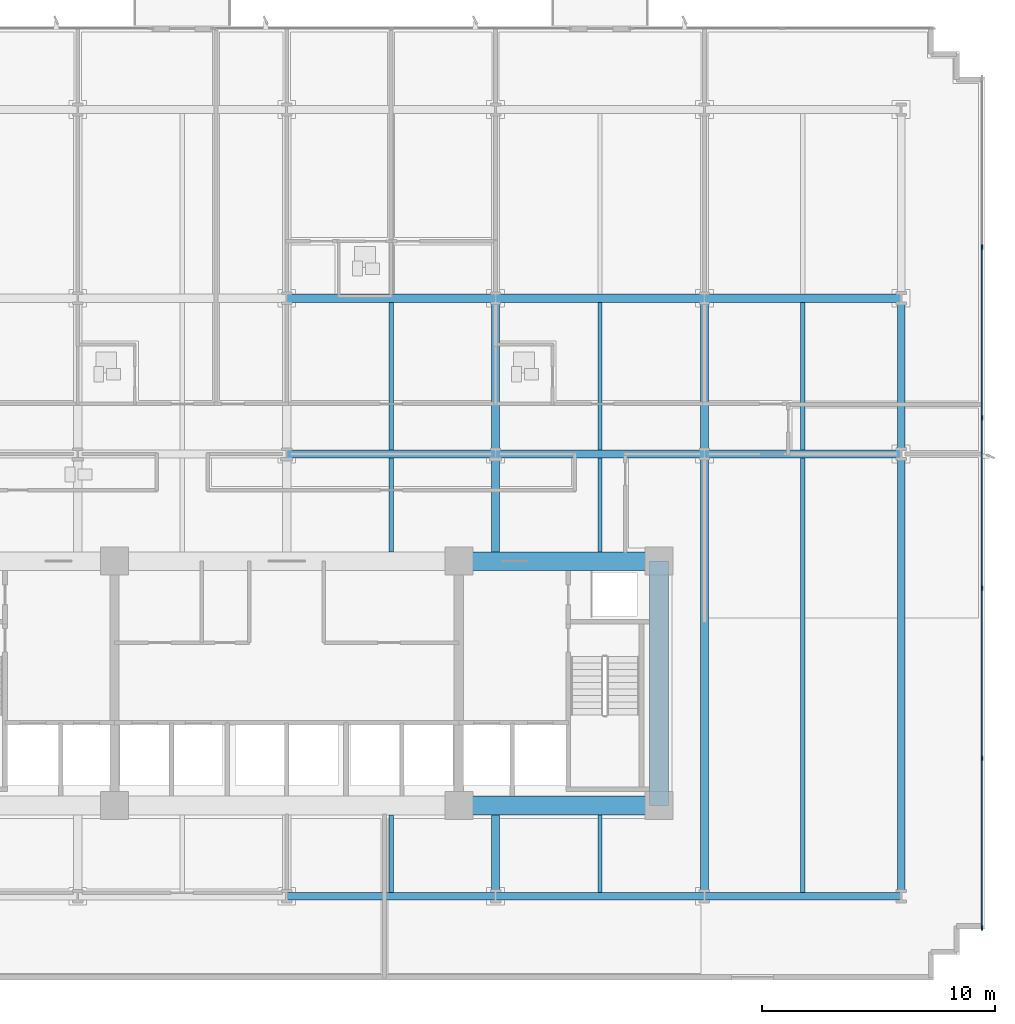
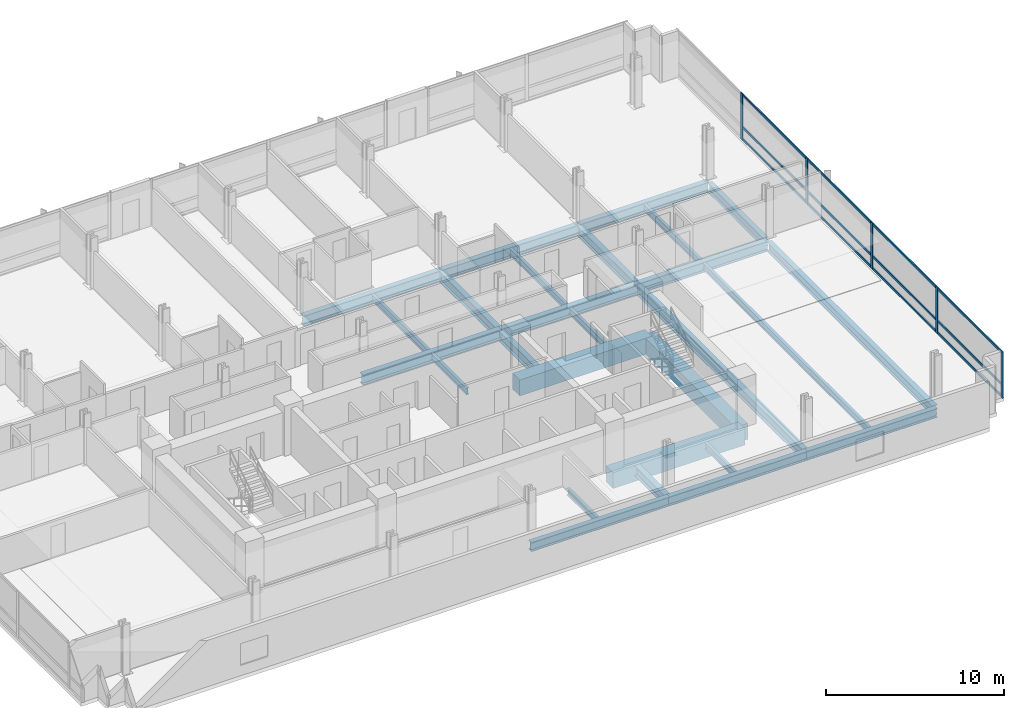
# One storey, part 4 of 16: 27 beams, 17 members, 1 element without a shape of its own.
"""IFC4 building model written with IfcOpenShell, lengths in metres."""

from ifc_helpers import new_model, si_unit, direction, frame, origin, origin_2d, place, context, subcontext, project, spatial, rectangle, i_section, extrude, material, material_profile, profile_set, type_object, element, aggregate, save


model = new_model("IFC4")

# Units and contexts
model_context = context("Model", 3, precision=1e-05, world=origin(), true_north=direction((0.0, 1.0)))
body_context = subcontext(model_context, "Body", "Model", "MODEL_VIEW")
ifc_project = project(units=[si_unit("LENGTHUNIT", "METRE"), si_unit("AREAUNIT", "SQUARE_METRE"), si_unit("VOLUMEUNIT", "CUBIC_METRE"), si_unit("PLANEANGLEUNIT", "RADIAN"), si_unit("MASSUNIT", "GRAM", prefix="KILO")], contexts=[model_context])

# Site, building, storey
site_placement = place(None, origin())
site = spatial("IfcSite", under=ifc_project, at=site_placement, CompositionType="ELEMENT")
building_placement = place(site_placement, origin())
building = spatial("IfcBuilding", under=site, at=building_placement, Name="Solmavex Isthmus Hotel", CompositionType="ELEMENT")
storey_placement = place(building_placement, frame((0.0, 0.0, 29.85009765625)))
storey = spatial("IfcBuildingStorey", under=building, at=storey_placement, Name="L07", CompositionType="ELEMENT", Elevation=29.85009765625)

# Beams
ifc_material_1 = material(Name="Steel ASTM A992 Grade 50", Category="steel")
ifc_material_profile_1 = material_profile(ifc_material_1, i_section(OverallWidth=0.354736328125, OverallDepth=0.695556640625, WebThickness=0.015380859375, FlangeThickness=0.02490234375, FilletRadius=0.017822265625, at=origin_2d()), Name="W27X146")
ifc_profile_set_1 = profile_set([ifc_material_profile_1], Name="Steel ASTM A992 Grade 50")
beam_type_1 = type_object("IfcBeamType", Name="BM-BG-W27X146", PredefinedType="BEAM", material=ifc_profile_set_1)
beam_1_placement = place(storey_placement, frame((0.0, 2.10009765625, -0.60791015625), z_axis=(1.0, 0.0, 0.0), x_axis=(0.0, 1.0, 0.0)))
element("IfcBeam", 1, at=beam_1_placement, inside=storey, type_object=beam_type_1, Name="Floor Girder L07-UG10", PredefinedType="BEAM", context=body_context, shape_type="SweptSolid", body=[
    extrude(i_section(OverallWidth=0.354736328125, OverallDepth=0.695556640625, WebThickness=0.015380859375, FlangeThickness=0.02490234375, FilletRadius=0.017822265625, at=origin_2d()), origin(), (0.0, 0.0, 1.0), 8.97607421875),
])
beam_2_placement = place(storey_placement, frame((8.97607421875, 2.10009765625, -0.60791015625), z_axis=(1.0, 0.0, 0.0), x_axis=(0.0, 1.0, 0.0)))
element("IfcBeam", 2, at=beam_2_placement, inside=storey, type_object=beam_type_1, Name="Floor Girder L07-UG11", PredefinedType="BEAM", context=body_context, shape_type="SweptSolid", body=[
    extrude(i_section(OverallWidth=0.354736328125, OverallDepth=0.695556640625, WebThickness=0.015380859375, FlangeThickness=0.02490234375, FilletRadius=0.017822265625, at=origin_2d()), origin(), (0.0, 0.0, 1.0), 8.975830078125),
])
beam_3_placement = place(storey_placement, frame((17.951904296875, 2.10009765625, -0.60791015625), z_axis=(1.0, 0.0, 0.0), x_axis=(0.0, 1.0, 0.0)))
element("IfcBeam", 3, at=beam_3_placement, inside=storey, type_object=beam_type_1, Name="Floor Girder L07-UG12", PredefinedType="BEAM", context=body_context, shape_type="SweptSolid", body=[
    extrude(i_section(OverallWidth=0.354736328125, OverallDepth=0.695556640625, WebThickness=0.015380859375, FlangeThickness=0.02490234375, FilletRadius=0.017822265625, at=origin_2d()), origin(), (0.0, 0.0, 1.0), 8.447998046875),
])
beam_4_placement = place(storey_placement, frame((0.0, 8.7880859375, -0.60791015625), z_axis=(1.0, 0.0, 0.0), x_axis=(0.0, 1.0, 0.0)))
element("IfcBeam", 4, at=beam_4_placement, inside=storey, type_object=beam_type_1, Name="Floor Girder L07-UG16", PredefinedType="BEAM", context=body_context, shape_type="SweptSolid", body=[
    extrude(i_section(OverallWidth=0.354736328125, OverallDepth=0.695556640625, WebThickness=0.015380859375, FlangeThickness=0.02490234375, FilletRadius=0.017822265625, at=origin_2d()), origin(), (0.0, 0.0, 1.0), 8.97607421875),
])
beam_5_placement = place(storey_placement, frame((8.97607421875, 8.7880859375, -0.60791015625), z_axis=(1.0, 0.0, 0.0), x_axis=(0.0, 1.0, 0.0)))
element("IfcBeam", 5, at=beam_5_placement, inside=storey, type_object=beam_type_1, Name="Floor Girder L07-UG17", PredefinedType="BEAM", context=body_context, shape_type="SweptSolid", body=[
    extrude(i_section(OverallWidth=0.354736328125, OverallDepth=0.695556640625, WebThickness=0.015380859375, FlangeThickness=0.02490234375, FilletRadius=0.017822265625, at=origin_2d()), origin(), (0.0, 0.0, 1.0), 8.975830078125),
])
beam_6_placement = place(storey_placement, frame((17.951904296875, 8.7880859375, -0.60791015625), z_axis=(1.0, 0.0, 0.0), x_axis=(0.0, 1.0, 0.0)))
element("IfcBeam", 6, at=beam_6_placement, inside=storey, type_object=beam_type_1, Name="Floor Girder L07-UG18", PredefinedType="BEAM", context=body_context, shape_type="SweptSolid", body=[
    extrude(i_section(OverallWidth=0.354736328125, OverallDepth=0.695556640625, WebThickness=0.015380859375, FlangeThickness=0.02490234375, FilletRadius=0.017822265625, at=origin_2d()), origin(), (0.0, 0.0, 1.0), 8.447998046875),
])
beam_7_placement = place(storey_placement, frame((8.97607421875, -16.73681640625, -0.60791015625), z_axis=(0.0, 1.0, 0.0), x_axis=(-1.0, 0.0, 0.0)))
element("IfcBeam", 7, at=beam_7_placement, inside=storey, type_object=beam_type_1, Name="Floor Beam L07-VG39", PredefinedType="BEAM", context=body_context, shape_type="SweptSolid", body=[
    extrude(i_section(OverallWidth=0.354736328125, OverallDepth=0.695556640625, WebThickness=0.015380859375, FlangeThickness=0.02490234375, FilletRadius=0.017822265625, at=origin_2d()), origin(), (0.0, 0.0, 1.0), 3.3369140625),
])
beam_8_placement = place(storey_placement, frame((8.97607421875, -2.10009765625, -0.60791015625), z_axis=(0.0, 1.0, 0.0), x_axis=(-1.0, 0.0, 0.0)))
element("IfcBeam", 8, at=beam_8_placement, inside=storey, type_object=beam_type_1, Name="Floor Beam L07-VG40", PredefinedType="BEAM", context=body_context, shape_type="SweptSolid", body=[
    extrude(i_section(OverallWidth=0.354736328125, OverallDepth=0.695556640625, WebThickness=0.015380859375, FlangeThickness=0.02490234375, FilletRadius=0.017822265625, at=origin_2d()), origin(), (0.0, 0.0, 1.0), 4.022705078125),
])
beam_9_placement = place(storey_placement, frame((8.97607421875, 2.27734375, -0.60791015625), z_axis=(0.0, 1.0, 0.0), x_axis=(-1.0, 0.0, 0.0)))
element("IfcBeam", 9, at=beam_9_placement, inside=storey, type_object=beam_type_1, Name="Floor Beam L07-VG41", PredefinedType="BEAM", context=body_context, shape_type="SweptSolid", body=[
    extrude(i_section(OverallWidth=0.354736328125, OverallDepth=0.695556640625, WebThickness=0.015380859375, FlangeThickness=0.02490234375, FilletRadius=0.017822265625, at=origin_2d()), origin(), (0.0, 0.0, 1.0), 6.333251953125),
])
beam_10_placement = place(storey_placement, frame((17.951904296875, -16.73681640625, -0.60791015625), z_axis=(0.0, 1.0, 0.0), x_axis=(-1.0, 0.0, 0.0)))
element("IfcBeam", 10, at=beam_10_placement, inside=storey, type_object=beam_type_1, Name="Floor Beam L07-VG43", PredefinedType="BEAM", context=body_context, shape_type="SweptSolid", body=[
    extrude(i_section(OverallWidth=0.354736328125, OverallDepth=0.695556640625, WebThickness=0.015380859375, FlangeThickness=0.02490234375, FilletRadius=0.017822265625, at=origin_2d()), origin(), (0.0, 0.0, 1.0), 18.659423828125),
])
beam_11_placement = place(storey_placement, frame((17.951904296875, 2.27734375, -0.60791015625), z_axis=(0.0, 1.0, 0.0), x_axis=(-1.0, 0.0, 0.0)))
element("IfcBeam", 11, at=beam_11_placement, inside=storey, type_object=beam_type_1, Name="Floor Beam L07-VG44", PredefinedType="BEAM", context=body_context, shape_type="SweptSolid", body=[
    extrude(i_section(OverallWidth=0.354736328125, OverallDepth=0.695556640625, WebThickness=0.015380859375, FlangeThickness=0.02490234375, FilletRadius=0.017822265625, at=origin_2d()), origin(), (0.0, 0.0, 1.0), 6.333251953125),
])
ifc_material_profile_2 = material_profile(ifc_material_1, i_section(OverallWidth=0.1904296875, OverallDepth=0.456787109375, WebThickness=0.009033203125, FlangeThickness=0.014404296875, FilletRadius=0.0126953125, at=origin_2d()), Name="W18X50")
ifc_profile_set_2 = profile_set([ifc_material_profile_2], Name="Steel ASTM A992 Grade 50")
beam_type_2 = type_object("IfcBeamType", Name="BM-BJ-W18X50", PredefinedType="JOIST", material=ifc_profile_set_2)
beam_12_placement = place(storey_placement, frame((4.488037109375, -16.73681640625, -0.488525390625), z_axis=(0.0, 1.0, 0.0), x_axis=(-1.0, 0.0, 0.0)))
element("IfcBeam", 12, at=beam_12_placement, inside=storey, type_object=beam_type_2, Name="Secondary Floor Joist L07-J12", PredefinedType="JOIST", context=body_context, shape_type="SweptSolid", body=[
    extrude(i_section(OverallWidth=0.1904296875, OverallDepth=0.456787109375, WebThickness=0.009033203125, FlangeThickness=0.014404296875, FilletRadius=0.0126953125, at=origin_2d()), origin(), (0.0, 0.0, 1.0), 3.3369140625),
])
beam_13_placement = place(storey_placement, frame((4.488037109375, -2.10009765625, -0.488525390625), z_axis=(0.0, 1.0, 0.0), x_axis=(-1.0, 0.0, 0.0)))
element("IfcBeam", 13, at=beam_13_placement, inside=storey, type_object=beam_type_2, Name="Secondary Floor Joist L07-J13", PredefinedType="JOIST", context=body_context, shape_type="SweptSolid", body=[
    extrude(i_section(OverallWidth=0.1904296875, OverallDepth=0.456787109375, WebThickness=0.009033203125, FlangeThickness=0.014404296875, FilletRadius=0.0126953125, at=origin_2d()), origin(), (0.0, 0.0, 1.0), 4.022705078125),
])
beam_14_placement = place(storey_placement, frame((4.488037109375, 2.27734375, -0.488525390625), z_axis=(0.0, 1.0, 0.0), x_axis=(-1.0, 0.0, 0.0)))
element("IfcBeam", 14, at=beam_14_placement, inside=storey, type_object=beam_type_2, Name="Secondary Floor Joist L07-J14", PredefinedType="JOIST", context=body_context, shape_type="SweptSolid", body=[
    extrude(i_section(OverallWidth=0.1904296875, OverallDepth=0.456787109375, WebThickness=0.009033203125, FlangeThickness=0.014404296875, FilletRadius=0.0126953125, at=origin_2d()), origin(), (0.0, 0.0, 1.0), 6.333251953125),
])
beam_15_placement = place(storey_placement, frame((13.464111328125, -16.73681640625, -0.488525390625), z_axis=(0.0, 1.0, 0.0), x_axis=(-1.0, 0.0, 0.0)))
element("IfcBeam", 15, at=beam_15_placement, inside=storey, type_object=beam_type_2, Name="Secondary Floor Joist L07-J16", PredefinedType="JOIST", context=body_context, shape_type="SweptSolid", body=[
    extrude(i_section(OverallWidth=0.1904296875, OverallDepth=0.456787109375, WebThickness=0.009033203125, FlangeThickness=0.014404296875, FilletRadius=0.0126953125, at=origin_2d()), origin(), (0.0, 0.0, 1.0), 3.3369140625),
])
beam_16_placement = place(storey_placement, frame((13.464111328125, -2.10009765625, -0.488525390625), z_axis=(0.0, 1.0, 0.0), x_axis=(-1.0, 0.0, 0.0)))
element("IfcBeam", 16, at=beam_16_placement, inside=storey, type_object=beam_type_2, Name="Secondary Floor Joist L07-J17", PredefinedType="JOIST", context=body_context, shape_type="SweptSolid", body=[
    extrude(i_section(OverallWidth=0.1904296875, OverallDepth=0.456787109375, WebThickness=0.009033203125, FlangeThickness=0.014404296875, FilletRadius=0.0126953125, at=origin_2d()), origin(), (0.0, 0.0, 1.0), 4.022705078125),
])
beam_17_placement = place(storey_placement, frame((13.464111328125, 2.27734375, -0.488525390625), z_axis=(0.0, 1.0, 0.0), x_axis=(-1.0, 0.0, 0.0)))
element("IfcBeam", 17, at=beam_17_placement, inside=storey, type_object=beam_type_2, Name="Secondary Floor Joist L07-J18", PredefinedType="JOIST", context=body_context, shape_type="SweptSolid", body=[
    extrude(i_section(OverallWidth=0.1904296875, OverallDepth=0.456787109375, WebThickness=0.009033203125, FlangeThickness=0.014404296875, FilletRadius=0.0126953125, at=origin_2d()), origin(), (0.0, 0.0, 1.0), 6.333251953125),
])
beam_18_placement = place(storey_placement, frame((22.176025390625, -16.73681640625, -0.488525390625), z_axis=(0.0, 1.0, 0.0), x_axis=(-1.0, 0.0, 0.0)))
element("IfcBeam", 18, at=beam_18_placement, inside=storey, type_object=beam_type_2, Name="Secondary Floor Joist L07-J20", PredefinedType="JOIST", context=body_context, shape_type="SweptSolid", body=[
    extrude(i_section(OverallWidth=0.1904296875, OverallDepth=0.456787109375, WebThickness=0.009033203125, FlangeThickness=0.014404296875, FilletRadius=0.0126953125, at=origin_2d()), origin(), (0.0, 0.0, 1.0), 18.659423828125),
])
beam_19_placement = place(storey_placement, frame((22.176025390625, 2.27734375, -0.488525390625), z_axis=(0.0, 1.0, 0.0), x_axis=(-1.0, 0.0, 0.0)))
element("IfcBeam", 19, at=beam_19_placement, inside=storey, type_object=beam_type_2, Name="Secondary Floor Joist L07-J21", PredefinedType="JOIST", context=body_context, shape_type="SweptSolid", body=[
    extrude(i_section(OverallWidth=0.1904296875, OverallDepth=0.456787109375, WebThickness=0.009033203125, FlangeThickness=0.014404296875, FilletRadius=0.0126953125, at=origin_2d()), origin(), (0.0, 0.0, 1.0), 6.333251953125),
])
ifc_material_2 = material(Name="Concrete C70/85", Category="concrete")
ifc_material_profile_3 = material_profile(ifc_material_2, rectangle(XDim=0.800048828125, YDim=1.10009765625, at=origin_2d()), Name="RC800X1100")
ifc_profile_set_3 = profile_set([ifc_material_profile_3], Name="Concrete C70/85")
beam_type_3 = type_object("IfcBeamType", Name="BM-CB-800X1100", PredefinedType="BEAM", material=ifc_profile_set_3)
for number, where, z_axis, x_axis, name in (
    (20, (7.39990234375, -13.0, -0.81005859375), (1.0, 0.0, 0.0), (0.0, 1.0, 0.0), "Core Coupling Beam L07-CB3"),
    (21, (7.39990234375, -2.5, -0.81005859375), (1.0, 0.0, 0.0), (0.0, 1.0, 0.0), "Core Coupling Beam L07-CB6"),
):
    element("IfcBeam", number, at=place(storey_placement, frame(where, z_axis=z_axis, x_axis=x_axis)), inside=storey, type_object=beam_type_3, Name=name, PredefinedType="BEAM", context=body_context, shape_type="SweptSolid", body=[
        extrude(rectangle(XDim=0.800048828125, YDim=1.10009765625, at=origin_2d()), origin(), (0.0, 0.0, 1.0), 8.60009765625),
    ])
beam_20_placement = place(storey_placement, frame((16.0, -13.0, -0.81005859375), z_axis=(0.0, 1.0, 0.0), x_axis=(-1.0, 0.0, 0.0)))
element("IfcBeam", 22, at=beam_20_placement, inside=storey, type_object=beam_type_3, Name="Core Coupling Beam L07-CB8", PredefinedType="BEAM", context=body_context, shape_type="SweptSolid", body=[
    extrude(rectangle(XDim=0.800048828125, YDim=1.10009765625, at=origin_2d()), origin(), (0.0, 0.0, 1.0), 10.5),
])
ifc_material_profile_4 = material_profile(ifc_material_1, i_section(OverallWidth=0.326416015625, OverallDepth=0.621826171875, WebThickness=0.015380859375, FlangeThickness=0.0244140625, FilletRadius=0.01513671875, at=origin_2d()), Name="W24X131")
ifc_profile_set_4 = profile_set([ifc_material_profile_4], Name="Steel ASTM A992 Grade 50")
beam_type_4 = type_object("IfcBeamType", Name="BM-SP-W24X131", PredefinedType="SPANDREL", material=ifc_profile_set_4)
beam_21_placement = place(storey_placement, frame((0.0, -16.89990234375, -0.571044921875), z_axis=(1.0, 0.0, 0.0), x_axis=(0.0, 1.0, 0.0)))
element("IfcBeam", 23, at=beam_21_placement, inside=storey, type_object=beam_type_4, Name="Floor Girder L07-UG04", PredefinedType="SPANDREL", context=body_context, shape_type="SweptSolid", body=[
    extrude(i_section(OverallWidth=0.326416015625, OverallDepth=0.621826171875, WebThickness=0.015380859375, FlangeThickness=0.0244140625, FilletRadius=0.01513671875, at=origin_2d()), origin(), (0.0, 0.0, 1.0), 8.97607421875),
])
beam_22_placement = place(storey_placement, frame((8.97607421875, -16.89990234375, -0.571044921875), z_axis=(1.0, 0.0, 0.0), x_axis=(0.0, 1.0, 0.0)))
element("IfcBeam", 24, at=beam_22_placement, inside=storey, type_object=beam_type_4, Name="Floor Girder L07-UG05", PredefinedType="SPANDREL", context=body_context, shape_type="SweptSolid", body=[
    extrude(i_section(OverallWidth=0.326416015625, OverallDepth=0.621826171875, WebThickness=0.015380859375, FlangeThickness=0.0244140625, FilletRadius=0.01513671875, at=origin_2d()), origin(), (0.0, 0.0, 1.0), 8.975830078125),
])
beam_23_placement = place(storey_placement, frame((17.951904296875, -16.89990234375, -0.571044921875), z_axis=(1.0, 0.0, 0.0), x_axis=(0.0, 1.0, 0.0)))
element("IfcBeam", 25, at=beam_23_placement, inside=storey, type_object=beam_type_4, Name="Floor Girder L07-UG06", PredefinedType="SPANDREL", context=body_context, shape_type="SweptSolid", body=[
    extrude(i_section(OverallWidth=0.326416015625, OverallDepth=0.621826171875, WebThickness=0.015380859375, FlangeThickness=0.0244140625, FilletRadius=0.01513671875, at=origin_2d()), origin(), (0.0, 0.0, 1.0), 8.447998046875),
])
beam_24_placement = place(storey_placement, frame((26.39990234375, -16.73681640625, -0.571044921875), z_axis=(0.0, 1.0, 0.0), x_axis=(-1.0, 0.0, 0.0)))
element("IfcBeam", 26, at=beam_24_placement, inside=storey, type_object=beam_type_4, Name="Floor Beam L07-VG46", PredefinedType="SPANDREL", context=body_context, shape_type="SweptSolid", body=[
    extrude(i_section(OverallWidth=0.326416015625, OverallDepth=0.621826171875, WebThickness=0.015380859375, FlangeThickness=0.0244140625, FilletRadius=0.01513671875, at=origin_2d()), origin(), (0.0, 0.0, 1.0), 18.659423828125),
])
beam_25_placement = place(storey_placement, frame((26.39990234375, 2.27734375, -0.571044921875), z_axis=(0.0, 1.0, 0.0), x_axis=(-1.0, 0.0, 0.0)))
element("IfcBeam", 27, at=beam_25_placement, inside=storey, type_object=beam_type_4, Name="Floor Beam L07-VG47", PredefinedType="SPANDREL", context=body_context, shape_type="SweptSolid", body=[
    extrude(i_section(OverallWidth=0.326416015625, OverallDepth=0.621826171875, WebThickness=0.015380859375, FlangeThickness=0.0244140625, FilletRadius=0.01513671875, at=origin_2d()), origin(), (0.0, 0.0, 1.0), 6.333251953125),
])

# Curtain wall, members
ifc_material_3 = material(Name="Aluminium alloy 6063-T6", Category="aluminium")
curtain_wall_type = type_object("IfcCurtainWallType", Name="CW-SYS-02", PredefinedType="NOTDEFINED", material=ifc_material_3)
curtain_wall_placement = place(storey_placement, origin())
curtain_wall = element("IfcCurtainWall", 28, at=curtain_wall_placement, inside=storey, type_object=curtain_wall_type, Name="Stick Curtain Wall CWL-L07-E1", PredefinedType="NOTDEFINED")
ifc_material_profile_5 = material_profile(ifc_material_3, rectangle(XDim=0.074951171875, YDim=0.219970703125, at=origin_2d()), Name="CWM-75X220")
ifc_profile_set_5 = profile_set([ifc_material_profile_5], Name="Aluminium alloy 6063-T6")
member_type_1 = type_object("IfcMemberType", Name="CW-SYS-02-MUL", PredefinedType="MULLION", material=ifc_profile_set_5)
member_1_placement = place(storey_placement, frame((29.8798828125, -18.262451171875, 0.0), z_axis=(0.0, 0.0, 1.0), x_axis=(-1.0, 0.0, 0.0)))
member_1 = element("IfcMember", 29, at=member_1_placement, type_object=member_type_1, Name="CW-02 mullion 1", PredefinedType="MULLION", context=body_context, shape_type="SweptSolid", body=[
    extrude(rectangle(XDim=0.074951171875, YDim=0.219970703125, at=origin_2d()), origin(), (0.0, 0.0, 1.0), 3.18994140625),
])
member_2_placement = place(storey_placement, frame((29.8798828125, -10.97998046875, 0.0), z_axis=(0.0, 0.0, 1.0), x_axis=(-1.0, 0.0, 0.0)))
member_2 = element("IfcMember", 30, at=member_2_placement, type_object=member_type_1, Name="CW-02 mullion 2", PredefinedType="MULLION", context=body_context, shape_type="SweptSolid", body=[
    extrude(rectangle(XDim=0.074951171875, YDim=0.219970703125, at=origin_2d()), origin(), (0.0, 0.0, 1.0), 3.18994140625),
])
member_3_placement = place(storey_placement, frame((29.8798828125, -3.659912109375, 0.0), z_axis=(0.0, 0.0, 1.0), x_axis=(-1.0, 0.0, 0.0)))
member_3 = element("IfcMember", 31, at=member_3_placement, type_object=member_type_1, Name="CW-02 mullion 3", PredefinedType="MULLION", context=body_context, shape_type="SweptSolid", body=[
    extrude(rectangle(XDim=0.074951171875, YDim=0.219970703125, at=origin_2d()), origin(), (0.0, 0.0, 1.0), 3.18994140625),
])
member_4_placement = place(storey_placement, frame((29.8798828125, 3.659912109375, 0.0), z_axis=(0.0, 0.0, 1.0), x_axis=(-1.0, 0.0, 0.0)))
member_4 = element("IfcMember", 32, at=member_4_placement, type_object=member_type_1, Name="CW-02 mullion 4", PredefinedType="MULLION", context=body_context, shape_type="SweptSolid", body=[
    extrude(rectangle(XDim=0.074951171875, YDim=0.219970703125, at=origin_2d()), origin(), (0.0, 0.0, 1.0), 3.18994140625),
])
member_5_placement = place(storey_placement, frame((29.8798828125, 10.97998046875, 0.0), z_axis=(0.0, 0.0, 1.0), x_axis=(-1.0, 0.0, 0.0)))
member_5 = element("IfcMember", 33, at=member_5_placement, type_object=member_type_1, Name="CW-02 mullion 5", PredefinedType="MULLION", context=body_context, shape_type="SweptSolid", body=[
    extrude(rectangle(XDim=0.074951171875, YDim=0.219970703125, at=origin_2d()), origin(), (0.0, 0.0, 1.0), 3.18994140625),
])
ifc_material_profile_6 = material_profile(ifc_material_3, rectangle(XDim=0.074951171875, YDim=0.159912109375, at=origin_2d()), Name="CWT-75X160")
ifc_profile_set_6 = profile_set([ifc_material_profile_6], Name="Aluminium alloy 6063-T6")
member_type_2 = type_object("IfcMemberType", Name="CW-SYS-02-TRN", PredefinedType="USERDEFINED", material=ifc_profile_set_6)
member_6_placement = place(storey_placement, frame((29.8798828125, -18.22509765625, 0.079833984375), z_axis=(0.0, 1.0, 0.0), x_axis=(-1.0, 0.0, 0.0)))
member_6 = element("IfcMember", 34, at=member_6_placement, type_object=member_type_2, Name="CW-02 transom 1.1", ObjectType="TRANSOM", PredefinedType="USERDEFINED", context=body_context, shape_type="SweptSolid", body=[
    extrude(rectangle(XDim=0.074951171875, YDim=0.159912109375, at=origin_2d()), origin(), (0.0, 0.0, 1.0), 7.20751953125),
])
member_7_placement = place(storey_placement, frame((29.8798828125, -18.22509765625, 0.89990234375), z_axis=(0.0, 1.0, 0.0), x_axis=(-1.0, 0.0, 0.0)))
member_7 = element("IfcMember", 35, at=member_7_placement, type_object=member_type_2, Name="CW-02 transom 1.2", ObjectType="TRANSOM", PredefinedType="USERDEFINED", context=body_context, shape_type="SweptSolid", body=[
    extrude(rectangle(XDim=0.074951171875, YDim=0.159912109375, at=origin_2d()), origin(), (0.0, 0.0, 1.0), 7.20751953125),
])
member_8_placement = place(storey_placement, frame((29.8798828125, -18.22509765625, 3.10986328125), z_axis=(0.0, 1.0, 0.0), x_axis=(-1.0, 0.0, 0.0)))
member_8 = element("IfcMember", 36, at=member_8_placement, type_object=member_type_2, Name="CW-02 transom 1.3", ObjectType="TRANSOM", PredefinedType="USERDEFINED", context=body_context, shape_type="SweptSolid", body=[
    extrude(rectangle(XDim=0.074951171875, YDim=0.159912109375, at=origin_2d()), origin(), (0.0, 0.0, 1.0), 7.20751953125),
])
member_9_placement = place(storey_placement, frame((29.8798828125, -10.9423828125, 0.079833984375), z_axis=(0.0, 1.0, 0.0), x_axis=(-1.0, 0.0, 0.0)))
member_9 = element("IfcMember", 37, at=member_9_placement, type_object=member_type_2, Name="CW-02 transom 2.1", ObjectType="TRANSOM", PredefinedType="USERDEFINED", context=body_context, shape_type="SweptSolid", body=[
    extrude(rectangle(XDim=0.074951171875, YDim=0.159912109375, at=origin_2d()), origin(), (0.0, 0.0, 1.0), 7.244873046875),
])
member_10_placement = place(storey_placement, frame((29.8798828125, -10.9423828125, 0.89990234375), z_axis=(0.0, 1.0, 0.0), x_axis=(-1.0, 0.0, 0.0)))
member_10 = element("IfcMember", 38, at=member_10_placement, type_object=member_type_2, Name="CW-02 transom 2.2", ObjectType="TRANSOM", PredefinedType="USERDEFINED", context=body_context, shape_type="SweptSolid", body=[
    extrude(rectangle(XDim=0.074951171875, YDim=0.159912109375, at=origin_2d()), origin(), (0.0, 0.0, 1.0), 7.244873046875),
])
member_11_placement = place(storey_placement, frame((29.8798828125, -10.9423828125, 3.10986328125), z_axis=(0.0, 1.0, 0.0), x_axis=(-1.0, 0.0, 0.0)))
member_11 = element("IfcMember", 39, at=member_11_placement, type_object=member_type_2, Name="CW-02 transom 2.3", ObjectType="TRANSOM", PredefinedType="USERDEFINED", context=body_context, shape_type="SweptSolid", body=[
    extrude(rectangle(XDim=0.074951171875, YDim=0.159912109375, at=origin_2d()), origin(), (0.0, 0.0, 1.0), 7.244873046875),
])
member_12_placement = place(storey_placement, frame((29.8798828125, -3.62255859375, 0.079833984375), z_axis=(0.0, 1.0, 0.0), x_axis=(-1.0, 0.0, 0.0)))
member_12 = element("IfcMember", 40, at=member_12_placement, type_object=member_type_2, Name="CW-02 transom 3.1", ObjectType="TRANSOM", PredefinedType="USERDEFINED", context=body_context, shape_type="SweptSolid", body=[
    extrude(rectangle(XDim=0.074951171875, YDim=0.159912109375, at=origin_2d()), origin(), (0.0, 0.0, 1.0), 7.2451171875),
])
member_13_placement = place(storey_placement, frame((29.8798828125, -3.62255859375, 0.89990234375), z_axis=(0.0, 1.0, 0.0), x_axis=(-1.0, 0.0, 0.0)))
member_13 = element("IfcMember", 41, at=member_13_placement, type_object=member_type_2, Name="CW-02 transom 3.2", ObjectType="TRANSOM", PredefinedType="USERDEFINED", context=body_context, shape_type="SweptSolid", body=[
    extrude(rectangle(XDim=0.074951171875, YDim=0.159912109375, at=origin_2d()), origin(), (0.0, 0.0, 1.0), 7.2451171875),
])
member_14_placement = place(storey_placement, frame((29.8798828125, -3.62255859375, 3.10986328125), z_axis=(0.0, 1.0, 0.0), x_axis=(-1.0, 0.0, 0.0)))
member_14 = element("IfcMember", 42, at=member_14_placement, type_object=member_type_2, Name="CW-02 transom 3.3", ObjectType="TRANSOM", PredefinedType="USERDEFINED", context=body_context, shape_type="SweptSolid", body=[
    extrude(rectangle(XDim=0.074951171875, YDim=0.159912109375, at=origin_2d()), origin(), (0.0, 0.0, 1.0), 7.2451171875),
])
member_15_placement = place(storey_placement, frame((29.8798828125, 3.697509765625, 0.079833984375), z_axis=(0.0, 1.0, 0.0), x_axis=(-1.0, 0.0, 0.0)))
member_15 = element("IfcMember", 43, at=member_15_placement, type_object=member_type_2, Name="CW-02 transom 4.1", ObjectType="TRANSOM", PredefinedType="USERDEFINED", context=body_context, shape_type="SweptSolid", body=[
    extrude(rectangle(XDim=0.074951171875, YDim=0.159912109375, at=origin_2d()), origin(), (0.0, 0.0, 1.0), 7.244873046875),
])
member_16_placement = place(storey_placement, frame((29.8798828125, 3.697509765625, 0.89990234375), z_axis=(0.0, 1.0, 0.0), x_axis=(-1.0, 0.0, 0.0)))
member_16 = element("IfcMember", 44, at=member_16_placement, type_object=member_type_2, Name="CW-02 transom 4.2", ObjectType="TRANSOM", PredefinedType="USERDEFINED", context=body_context, shape_type="SweptSolid", body=[
    extrude(rectangle(XDim=0.074951171875, YDim=0.159912109375, at=origin_2d()), origin(), (0.0, 0.0, 1.0), 7.244873046875),
])
member_17_placement = place(storey_placement, frame((29.8798828125, 3.697509765625, 3.10986328125), z_axis=(0.0, 1.0, 0.0), x_axis=(-1.0, 0.0, 0.0)))
member_17 = element("IfcMember", 45, at=member_17_placement, type_object=member_type_2, Name="CW-02 transom 4.3", ObjectType="TRANSOM", PredefinedType="USERDEFINED", context=body_context, shape_type="SweptSolid", body=[
    extrude(rectangle(XDim=0.074951171875, YDim=0.159912109375, at=origin_2d()), origin(), (0.0, 0.0, 1.0), 7.244873046875),
])
aggregate(curtain_wall, [member_1, member_2, member_3, member_4, member_5, member_6, member_7, member_8, member_9, member_10, member_11, member_12, member_13, member_14, member_15, member_16, member_17])

save(model, "model.ifc")
